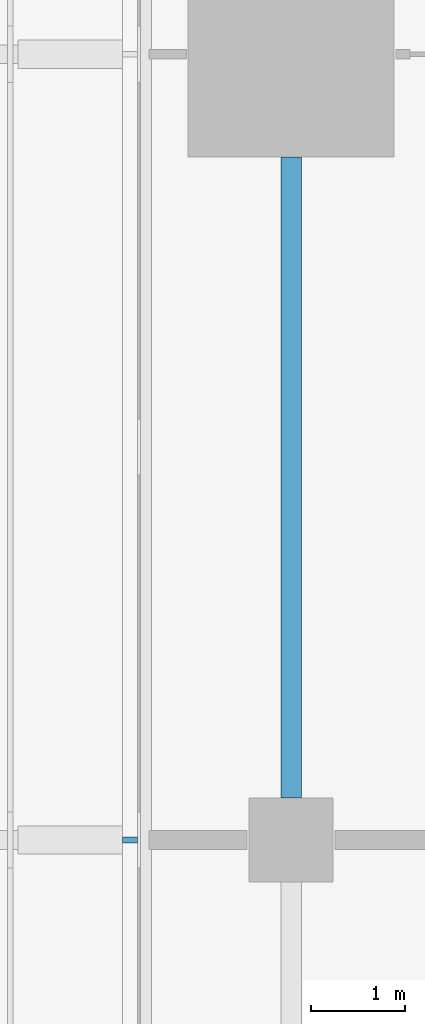
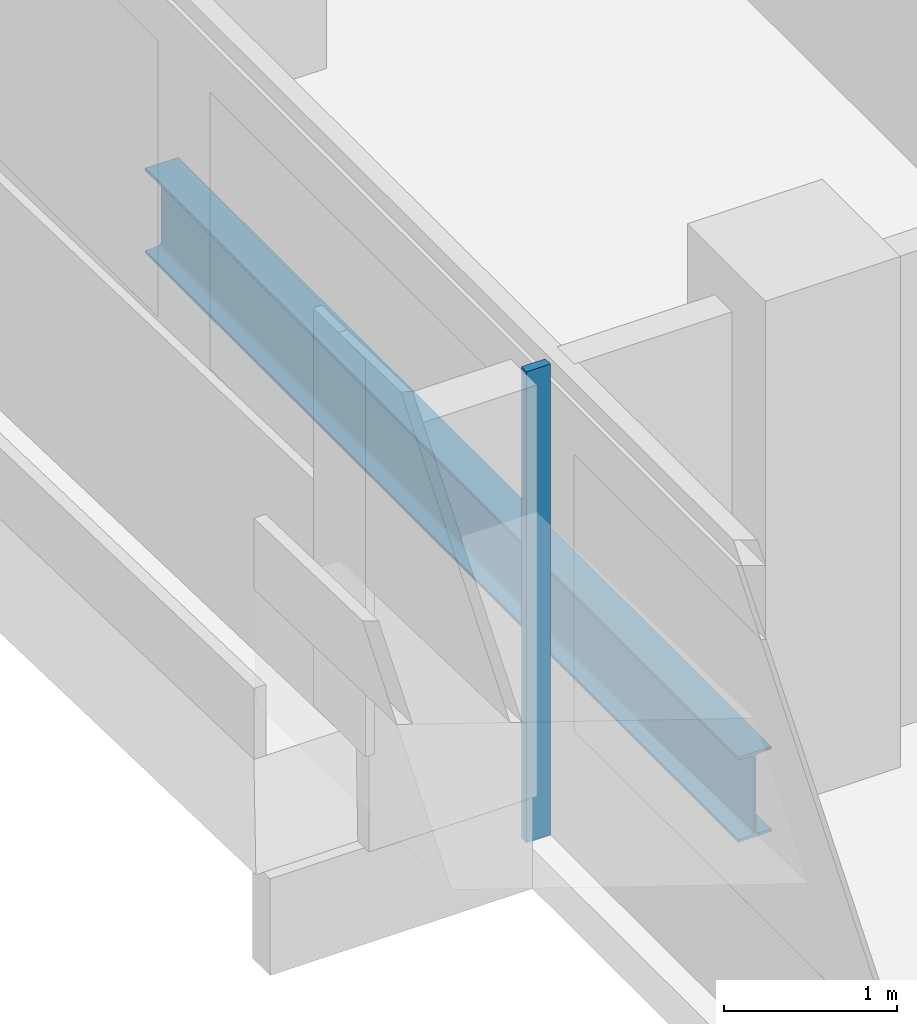
# One storey, part 4 of 25: 1 beam, 1 member, 1 element without a shape of its own.
"""IFC4 building model written with IfcOpenShell, lengths in metres."""

from ifc_helpers import new_model, si_unit, direction, frame, origin, origin_2d, place, context, subcontext, project, spatial, rectangle, i_section, extrude, material, material_profile, profile_set, type_object, element, aggregate, save


model = new_model("IFC4")

# Units and contexts
model_context = context("Model", 3, precision=1e-05, world=origin(), true_north=direction((0.0, 1.0)))
body_context = subcontext(model_context, "Body", "Model", "MODEL_VIEW")
ifc_project = project(units=[si_unit("LENGTHUNIT", "METRE"), si_unit("AREAUNIT", "SQUARE_METRE"), si_unit("VOLUMEUNIT", "CUBIC_METRE"), si_unit("PLANEANGLEUNIT", "RADIAN"), si_unit("MASSUNIT", "GRAM", prefix="KILO")], contexts=[model_context])

# Site, building, storey
site_placement = place(None, origin())
site = spatial("IfcSite", under=ifc_project, at=site_placement, CompositionType="ELEMENT")
building_placement = place(site_placement, origin())
building = spatial("IfcBuilding", under=site, at=building_placement, Name="Saffron Gate Tower", CompositionType="ELEMENT")
storey_placement = place(building_placement, frame((0.0, 0.0, 73.199951171875)))
storey = spatial("IfcBuildingStorey", under=building, at=storey_placement, Name="L17", CompositionType="ELEMENT", Elevation=73.199951171875)

# Beam
ifc_material_1 = material(Name="Structural steel S355", Category="steel")
ifc_material_profile_1 = material_profile(ifc_material_1, i_section(OverallWidth=0.219970703125, OverallDepth=0.60009765625, WebThickness=0.011962890625, FlangeThickness=0.01904296875, FilletRadius=0.02392578125, at=origin_2d()))
ifc_profile_set_1 = profile_set([ifc_material_profile_1], Name="Structural steel S355")
beam_type = type_object("IfcBeamType", Name="B16 IPE 600", PredefinedType="SPANDREL", material=ifc_profile_set_1)
beam_placement = place(storey_placement, frame((49.800048828125, 57.449951171875, -0.579833984375), z_axis=(0.0, 1.0, 0.0), x_axis=(-1.0, 0.0, 0.0)))
element("IfcBeam", 1, at=beam_placement, inside=storey, type_object=beam_type, Name="B16 SPANDREL BEAM", PredefinedType="SPANDREL", context=body_context, shape_type="SweptSolid", body=[
    extrude(i_section(OverallWidth=0.219970703125, OverallDepth=0.60009765625, WebThickness=0.011962890625, FlangeThickness=0.01904296875, FilletRadius=0.02392578125, at=origin_2d()), origin(), (0.0, 0.0, 1.0), 6.85009765625),
])

# Curtain wall, member
ifc_material_2 = material(Name="Aluminium, bronze anodised", Category="aluminium")
curtain_wall_type = type_object("IfcCurtainWallType", Name="CWS2 curtain wall side facades", PredefinedType="NOTDEFINED", material=ifc_material_2)
curtain_wall_placement = place(storey_placement, origin())
curtain_wall = element("IfcCurtainWall", 2, at=curtain_wall_placement, inside=storey, type_object=curtain_wall_type, Name="CWS2 run 10", PredefinedType="NOTDEFINED")
ifc_material_profile_2 = material_profile(ifc_material_2, rectangle(XDim=0.159912109375, YDim=0.06005859375, at=origin_2d()))
ifc_profile_set_2 = profile_set([ifc_material_profile_2], Name="Aluminium, bronze anodised")
member_type = type_object("IfcMemberType", Name="CWS2 mullion 60x160", PredefinedType="MULLION", material=ifc_profile_set_2)
member_placement = place(storey_placement, frame((48.080078125, 57.0, 0.0), z_axis=(0.0, 0.0, 1.0), x_axis=(1.0, 0.0, 0.0)))
member = element("IfcMember", 3, at=member_placement, type_object=member_type, Name="CWS2 mullion 3", PredefinedType="MULLION", context=body_context, shape_type="SweptSolid", body=[
    extrude(rectangle(XDim=0.159912109375, YDim=0.06005859375, at=origin_2d()), origin(), (0.0, 0.0, 1.0), 3.320068359375),
])
aggregate(curtain_wall, [member])

save(model, "model.ifc")
